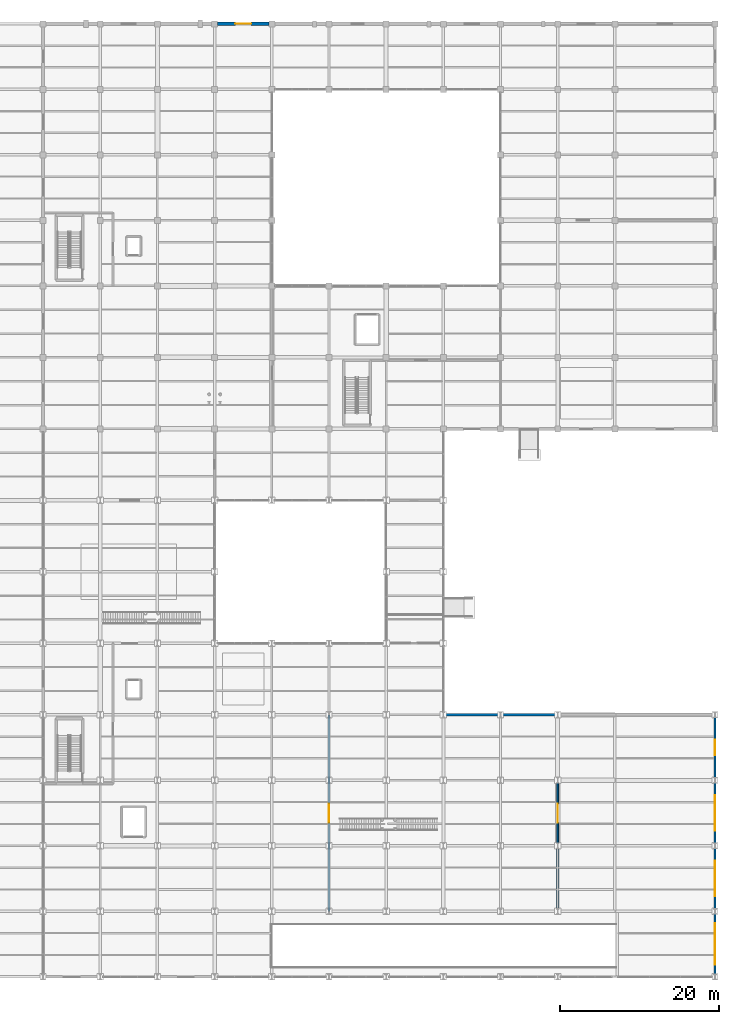
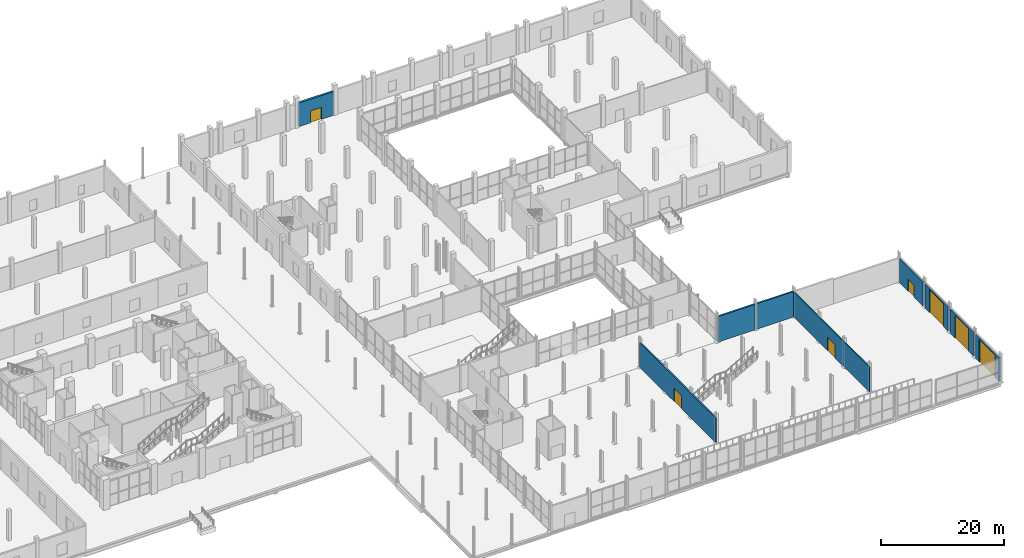
# One storey, part 130 of 144: 9 walls, 7 doors, 7 openings.
"""IFC4 building model written with IfcOpenShell, lengths in metres."""

from ifc_helpers import new_model, si_unit, direction, frame, frame_2d, origin, place, context, subcontext, project, spatial, rectangle, extrude, material, layer, layer_set, type_object, element, fill, save


model = new_model("IFC4")

# Units and contexts
model_context = context("Model", 3, precision=1e-05, world=origin(), true_north=direction((0.0, 1.0)))
body_context = subcontext(model_context, "Body", "Model", "MODEL_VIEW")
ifc_project = project(units=[si_unit("LENGTHUNIT", "METRE"), si_unit("AREAUNIT", "SQUARE_METRE"), si_unit("VOLUMEUNIT", "CUBIC_METRE"), si_unit("PLANEANGLEUNIT", "RADIAN"), si_unit("MASSUNIT", "GRAM", prefix="KILO")], contexts=[model_context])

# Site, building, storey
site_placement = place(None, origin())
site = spatial("IfcSite", under=ifc_project, at=site_placement, CompositionType="ELEMENT")
building_placement = place(site_placement, origin())
building = spatial("IfcBuilding", under=site, at=building_placement, Name="Sundgate Opera House", CompositionType="ELEMENT")
storey_placement = place(building_placement, origin())
storey = spatial("IfcBuildingStorey", under=building, at=storey_placement, Name="L00", CompositionType="ELEMENT", Elevation=0.0)

# Wall, opening, door
ifc_material_1 = material(Name="Scanian red-brown facing brick masonry", Category="masonry")
ifc_layer_1 = layer(ifc_material_1, 0.389892578125)
ifc_layer_set_1 = layer_set([ifc_layer_1], Name="Scanian red-brown facing brick masonry")
wall_type_1 = type_object("IfcWallType", Name="WL-EXT-BRICK-390", PredefinedType="SOLIDWALL", material=ifc_layer_set_1)
wall_1_placement = place(storey_placement, frame((117.3701171875, 120.0, 0.0), z_axis=(0.0, 0.0, 1.0), x_axis=(1.0, 0.0, 0.0)))
wall_1 = element("IfcWall", 1, at=wall_1_placement, inside=storey, type_object=wall_type_1, Name="L00 Conservatory North Brick Wall W0173", PredefinedType="SOLIDWALL", context=body_context, shape_type="SweptSolid", body=[
    extrude(rectangle(XDim=6.4599609375, YDim=0.389892578125, at=frame_2d((3.22998046875, 0.0))), origin(), (0.0, 0.0, 1.0), 4.715087890625),
])
opening_1_placement = place(wall_1_placement, frame((2.22998046875, 0.0, 0.0)))
opening_1 = element("IfcOpeningElement", 2, at=opening_1_placement, cuts=wall_1, Name="Opening DE1", PredefinedType="OPENING", context=body_context, shape_type="SweptSolid", body=[
    extrude(rectangle(XDim=2.0, YDim=2.39990234375, at=frame_2d((1.0, 1.199951171875))), frame((0.0, 0.204833984375, 0.0), z_axis=(0.0, -1.0, 0.0), x_axis=(1.0, 0.0, 0.0)), (0.0, 0.0, 1.0), 0.409912109375),
])
ifc_material_2 = material(Name="Patinated bronze and laminated safety glass", Category="glass")
door_type_1 = type_object("IfcDoorType", Name="DR-EXIT-2000x2400", OperationType="NOTDEFINED", PredefinedType="DOOR", material=ifc_material_2)
door_1_placement = place(opening_1_placement, origin())
door_1 = element("IfcDoor", 3, at=door_1_placement, inside=storey, type_object=door_type_1, Name="L00 Final Exit Door E11", OperationType="DOUBLE_DOOR_SINGLE_SWING", OverallHeight=2.39990234375, OverallWidth=2.0, PredefinedType="DOOR", context=body_context, shape_type="SweptSolid", body=[
    extrude(rectangle(XDim=2.0, YDim=2.39990234375, at=frame_2d((1.0, 1.199951171875))), frame((0.0, 0.02490234375, 0.0), z_axis=(0.0, -1.0, 0.0), x_axis=(1.0, 0.0, 0.0)), (0.0, 0.0, 1.0), 0.050048828125),
])
fill(opening_1, door_1)

ifc_material_3 = material(Name="Precast concrete C40/50", Category="concrete")
ifc_layer_2 = layer(ifc_material_3, 0.31005859375)
ifc_layer_set_2 = layer_set([ifc_layer_2], Name="Precast concrete C40/50")
wall_type_2 = type_object("IfcWallType", Name="WL-EXT-DOCK-310", PredefinedType="SOLIDWALL", material=ifc_layer_set_2)
wall_2_placement = place(storey_placement, frame((180.0, 7.929931640625, 0.0), z_axis=(0.0, 0.0, 1.0), x_axis=(0.0, -1.0, 0.0)))
wall_2 = element("IfcWall", 4, at=wall_2_placement, inside=storey, type_object=wall_type_2, Name="L00 East Logistics Wall W0162", PredefinedType="SOLIDWALL", context=body_context, shape_type="SweptSolid", body=[
    extrude(rectangle(XDim=7.60986328125, YDim=0.31005859375, at=frame_2d((3.804931640625, 0.0))), origin(), (0.0, 0.0, 1.0), 4.77001953125),
])
opening_2_placement = place(wall_2_placement, frame((1.205078125, 0.0, 0.0)))
opening_2 = element("IfcOpeningElement", 5, at=opening_2_placement, cuts=wall_2, Name="Opening VG2", PredefinedType="OPENING", context=body_context, shape_type="SweptSolid", body=[
    extrude(rectangle(XDim=5.199951171875, YDim=4.5, at=frame_2d((2.60009765625, 2.25))), frame((0.0, 0.1650390625, 0.0), z_axis=(0.0, -1.0, 0.0), x_axis=(1.0, 0.0, 0.0)), (0.0, 0.0, 1.0), 0.330078125),
])
ifc_material_4 = material(Name="Insulated galvanized steel S275", Category="steel")
door_type_2 = type_object("IfcDoorType", Name="DR-GATE-5200x4500", OperationType="NOTDEFINED", PredefinedType="GATE", material=ifc_material_4)
door_2_placement = place(opening_2_placement, origin())
door_2 = element("IfcDoor", 6, at=door_2_placement, inside=storey, type_object=door_type_2, Name="L00 Vehicle Ramp Entrance Gate", OperationType="ROLLINGUP", OverallHeight=4.5, OverallWidth=5.199951171875, PredefinedType="GATE", context=body_context, shape_type="SweptSolid", body=[
    extrude(rectangle(XDim=5.199951171875, YDim=4.5, at=frame_2d((2.60009765625, 2.25))), frame((0.0, 0.02490234375, 0.0), z_axis=(0.0, -1.0, 0.0), x_axis=(1.0, 0.0, 0.0)), (0.0, 0.0, 1.0), 0.050048828125),
])
fill(opening_2, door_2)

wall_3_placement = place(storey_placement, frame((180.0, 16.179931640625, 0.0), z_axis=(0.0, 0.0, 1.0), x_axis=(0.0, -1.0, 0.0)))
wall_3 = element("IfcWall", 7, at=wall_3_placement, inside=storey, type_object=wall_type_2, Name="L00 East Logistics Wall W0163", PredefinedType="SOLIDWALL", context=body_context, shape_type="SweptSolid", body=[
    extrude(rectangle(XDim=7.60986328125, YDim=0.31005859375, at=frame_2d((3.804931640625, 0.0))), origin(), (0.0, 0.0, 1.0), 4.77001953125),
])
opening_3_placement = place(wall_3_placement, frame((1.554931640625, 0.0, 0.0)))
opening_3 = element("IfcOpeningElement", 8, at=opening_3_placement, cuts=wall_3, Name="Opening VG1", PredefinedType="OPENING", context=body_context, shape_type="SweptSolid", body=[
    extrude(rectangle(XDim=4.5, YDim=4.550048828125, at=frame_2d((2.25, 2.27490234375))), frame((0.0, 0.1650390625, 0.0), z_axis=(0.0, -1.0, 0.0), x_axis=(1.0, 0.0, 0.0)), (0.0, 0.0, 1.0), 0.330078125),
])
ifc_material_5 = material(Name="Insulated galvanized steel S275", Category="steel")
door_type_3 = type_object("IfcDoorType", Name="DR-GATE-4500x4550", OperationType="NOTDEFINED", PredefinedType="GATE", material=ifc_material_5)
door_3_placement = place(opening_3_placement, origin())
door_3 = element("IfcDoor", 9, at=door_3_placement, inside=storey, type_object=door_type_3, Name="L00 Semi-Trailer Loading Dock Gate D0020", OperationType="ROLLINGUP", OverallHeight=4.550048828125, OverallWidth=4.5, PredefinedType="GATE", context=body_context, shape_type="SweptSolid", body=[
    extrude(rectangle(XDim=4.5, YDim=4.550048828125, at=frame_2d((2.25, 2.27490234375))), frame((0.0, 0.02490234375, 0.0), z_axis=(0.0, -1.0, 0.0), x_axis=(1.0, 0.0, 0.0)), (0.0, 0.0, 1.0), 0.050048828125),
])
fill(opening_3, door_3)

wall_4_placement = place(storey_placement, frame((180.0, 24.429931640625, 0.0), z_axis=(0.0, 0.0, 1.0), x_axis=(0.0, -1.0, 0.0)))
wall_4 = element("IfcWall", 10, at=wall_4_placement, inside=storey, type_object=wall_type_2, Name="L00 East Logistics Wall W0164", PredefinedType="SOLIDWALL", context=body_context, shape_type="SweptSolid", body=[
    extrude(rectangle(XDim=7.60986328125, YDim=0.31005859375, at=frame_2d((3.804931640625, 0.0))), origin(), (0.0, 0.0, 1.0), 4.77001953125),
])
opening_4_placement = place(wall_4_placement, frame((1.554931640625, 0.0, 0.0)))
opening_4 = element("IfcOpeningElement", 11, at=opening_4_placement, cuts=wall_4, Name="Opening VG1", PredefinedType="OPENING", context=body_context, shape_type="SweptSolid", body=[
    extrude(rectangle(XDim=4.5, YDim=4.550048828125, at=frame_2d((2.25, 2.27490234375))), frame((0.0, 0.1650390625, 0.0), z_axis=(0.0, -1.0, 0.0), x_axis=(1.0, 0.0, 0.0)), (0.0, 0.0, 1.0), 0.330078125),
])
door_4_placement = place(opening_4_placement, origin())
door_4 = element("IfcDoor", 12, at=door_4_placement, inside=storey, type_object=door_type_3, Name="L00 Semi-Trailer Loading Dock Gate D0021", OperationType="ROLLINGUP", OverallHeight=4.550048828125, OverallWidth=4.5, PredefinedType="GATE", context=body_context, shape_type="SweptSolid", body=[
    extrude(rectangle(XDim=4.5, YDim=4.550048828125, at=frame_2d((2.25, 2.27490234375))), frame((0.0, 0.02490234375, 0.0), z_axis=(0.0, -1.0, 0.0), x_axis=(1.0, 0.0, 0.0)), (0.0, 0.0, 1.0), 0.050048828125),
])
fill(opening_4, door_4)

wall_5_placement = place(storey_placement, frame((180.0, 32.679931640625, 0.0), z_axis=(0.0, 0.0, 1.0), x_axis=(0.0, -1.0, 0.0)))
wall_5 = element("IfcWall", 13, at=wall_5_placement, inside=storey, type_object=wall_type_2, Name="L00 East Logistics Wall W0165", PredefinedType="SOLIDWALL", context=body_context, shape_type="SweptSolid", body=[
    extrude(rectangle(XDim=7.60986328125, YDim=0.31005859375, at=frame_2d((3.804931640625, 0.0))), origin(), (0.0, 0.0, 1.0), 4.7900390625),
])
opening_5_placement = place(wall_5_placement, frame((2.804931640625, 0.0, 0.0)))
opening_5 = element("IfcOpeningElement", 14, at=opening_5_placement, cuts=wall_5, Name="Opening DE1", PredefinedType="OPENING", context=body_context, shape_type="SweptSolid", body=[
    extrude(rectangle(XDim=2.0, YDim=2.39990234375, at=frame_2d((1.0, 1.199951171875))), frame((0.0, 0.1650390625, 0.0), z_axis=(0.0, -1.0, 0.0), x_axis=(1.0, 0.0, 0.0)), (0.0, 0.0, 1.0), 0.330078125),
])
door_5_placement = place(opening_5_placement, origin())
door_5 = element("IfcDoor", 15, at=door_5_placement, inside=storey, type_object=door_type_1, Name="L00 Final Exit Door E10", OperationType="DOUBLE_DOOR_SINGLE_SWING", OverallHeight=2.39990234375, OverallWidth=2.0, PredefinedType="DOOR", context=body_context, shape_type="SweptSolid", body=[
    extrude(rectangle(XDim=2.0, YDim=2.39990234375, at=frame_2d((1.0, 1.199951171875))), frame((0.0, 0.02490234375, 0.0), z_axis=(0.0, -1.0, 0.0), x_axis=(1.0, 0.0, 0.0)), (0.0, 0.0, 1.0), 0.050048828125),
])
fill(opening_5, door_5)

# Walls
for number, where, z_axis, x_axis, name in (
    (16, (145.945068359375, 33.0, 0.0), (0.0, 0.0, 1.0), (1.0, 0.0, 0.0), "L00 Logistics North Wall W0166"),
    (17, (153.14501953125, 33.0, 0.0), (0.0, 0.0, 1.0), (1.0, 0.0, 0.0), "L00 Logistics North Wall W0167"),
):
    element("IfcWall", number, at=place(storey_placement, frame(where, z_axis=z_axis, x_axis=x_axis)), inside=storey, type_object=wall_type_2, Name=name, PredefinedType="SOLIDWALL", context=body_context, shape_type="SweptSolid", body=[
        extrude(rectangle(XDim=6.909912109375, YDim=0.31005859375, at=frame_2d((3.455078125, 0.0))), origin(), (0.0, 0.0, 1.0), 5.06494140625),
    ])

# Wall, opening, door
ifc_material_6 = material(Name="Acoustic masonry partition wall", Category="masonry")
ifc_layer_3 = layer(ifc_material_6, 0.260009765625)
ifc_layer_set_3 = layer_set([ifc_layer_3], Name="Acoustic masonry partition wall")
wall_type_3 = type_object("IfcWallType", Name="WL-INT-ACOUST-260", PredefinedType="PARTITIONING", material=ifc_layer_set_3)
wall_6_placement = place(storey_placement, frame((131.39990234375, 8.25, 0.0), z_axis=(0.0, 0.0, 1.0), x_axis=(0.0, 1.0, 0.0)))
wall_6 = element("IfcWall", 18, at=wall_6_placement, inside=storey, type_object=wall_type_3, Name="L00 Interior Partition W1012", PredefinedType="PARTITIONING", context=body_context, shape_type="SweptSolid", body=[
    extrude(rectangle(XDim=24.75, YDim=0.260009765625, at=frame_2d((12.375, 0.0))), origin(), (0.0, 0.0, 1.0), 4.9150390625),
])
opening_6_placement = place(wall_6_placement, frame((11.175048828125, 0.0, 0.0)))
opening_6 = element("IfcOpeningElement", 19, at=opening_6_placement, cuts=wall_6, Name="Opening DI05", PredefinedType="OPENING", context=body_context, shape_type="SweptSolid", body=[
    extrude(rectangle(XDim=2.39990234375, YDim=2.64990234375, at=frame_2d((1.199951171875, 1.324951171875))), frame((0.0, 0.139892578125, 0.0), z_axis=(0.0, -1.0, 0.0), x_axis=(1.0, 0.0, 0.0)), (0.0, 0.0, 1.0), 0.280029296875),
])
ifc_material_7 = material(Name="Acoustic hardwood timber and steel core", Category="steel")
door_type_4 = type_object("IfcDoorType", Name="DR-STAGE-2400x2650", OperationType="DOUBLE_DOOR_SINGLE_SWING", PredefinedType="DOOR", material=ifc_material_7)
door_6_placement = place(opening_6_placement, origin())
door_6 = element("IfcDoor", 20, at=door_6_placement, inside=storey, type_object=door_type_4, Name="L00 Interior Door D0186", OperationType="DOUBLE_DOOR_SINGLE_SWING", OverallHeight=2.64990234375, OverallWidth=2.39990234375, PredefinedType="DOOR", context=body_context, shape_type="SweptSolid", body=[
    extrude(rectangle(XDim=2.39990234375, YDim=2.64990234375, at=frame_2d((1.199951171875, 1.324951171875))), frame((0.0, 0.02490234375, 0.0), z_axis=(0.0, -1.0, 0.0), x_axis=(1.0, 0.0, 0.0)), (0.0, 0.0, 1.0), 0.050048828125),
])
fill(opening_6, door_6)

ifc_material_8 = material(Name="Fire-rated corridor partition", Category="gypsum")
ifc_layer_4 = layer(ifc_material_8, 0.199951171875)
ifc_layer_set_4 = layer_set([ifc_layer_4], Name="Fire-rated corridor partition")
wall_type_4 = type_object("IfcWallType", Name="WL-INT-FIRE-200", PredefinedType="PARTITIONING", material=ifc_layer_set_4)
wall_7_placement = place(storey_placement, frame((160.199951171875, 8.25, 0.0), z_axis=(0.0, 0.0, 1.0), x_axis=(0.0, 1.0, 0.0)))
wall_7 = element("IfcWall", 21, at=wall_7_placement, inside=storey, type_object=wall_type_4, Name="L00 Interior Partition W1013", PredefinedType="PARTITIONING", context=body_context, shape_type="SweptSolid", body=[
    extrude(rectangle(XDim=24.75, YDim=0.199951171875, at=frame_2d((12.375, 0.0))), origin(), (0.0, 0.0, 1.0), 4.965087890625),
])
opening_7_placement = place(wall_7_placement, frame((11.175048828125, 0.0, 0.0)))
opening_7 = element("IfcOpeningElement", 22, at=opening_7_placement, cuts=wall_7, Name="Opening DI05", PredefinedType="OPENING", context=body_context, shape_type="SweptSolid", body=[
    extrude(rectangle(XDim=2.39990234375, YDim=2.64990234375, at=frame_2d((1.199951171875, 1.324951171875))), frame((0.0, 0.10986328125, 0.0), z_axis=(0.0, -1.0, 0.0), x_axis=(1.0, 0.0, 0.0)), (0.0, 0.0, 1.0), 0.219970703125),
])
door_7_placement = place(opening_7_placement, origin())
door_7 = element("IfcDoor", 23, at=door_7_placement, inside=storey, type_object=door_type_4, Name="L00 Interior Door D0187", OperationType="DOUBLE_DOOR_SINGLE_SWING", OverallHeight=2.64990234375, OverallWidth=2.39990234375, PredefinedType="DOOR", context=body_context, shape_type="SweptSolid", body=[
    extrude(rectangle(XDim=2.39990234375, YDim=2.64990234375, at=frame_2d((1.199951171875, 1.324951171875))), frame((0.0, 0.02490234375, 0.0), z_axis=(0.0, -1.0, 0.0), x_axis=(1.0, 0.0, 0.0)), (0.0, 0.0, 1.0), 0.050048828125),
])
fill(opening_7, door_7)

save(model, "model.ifc")
